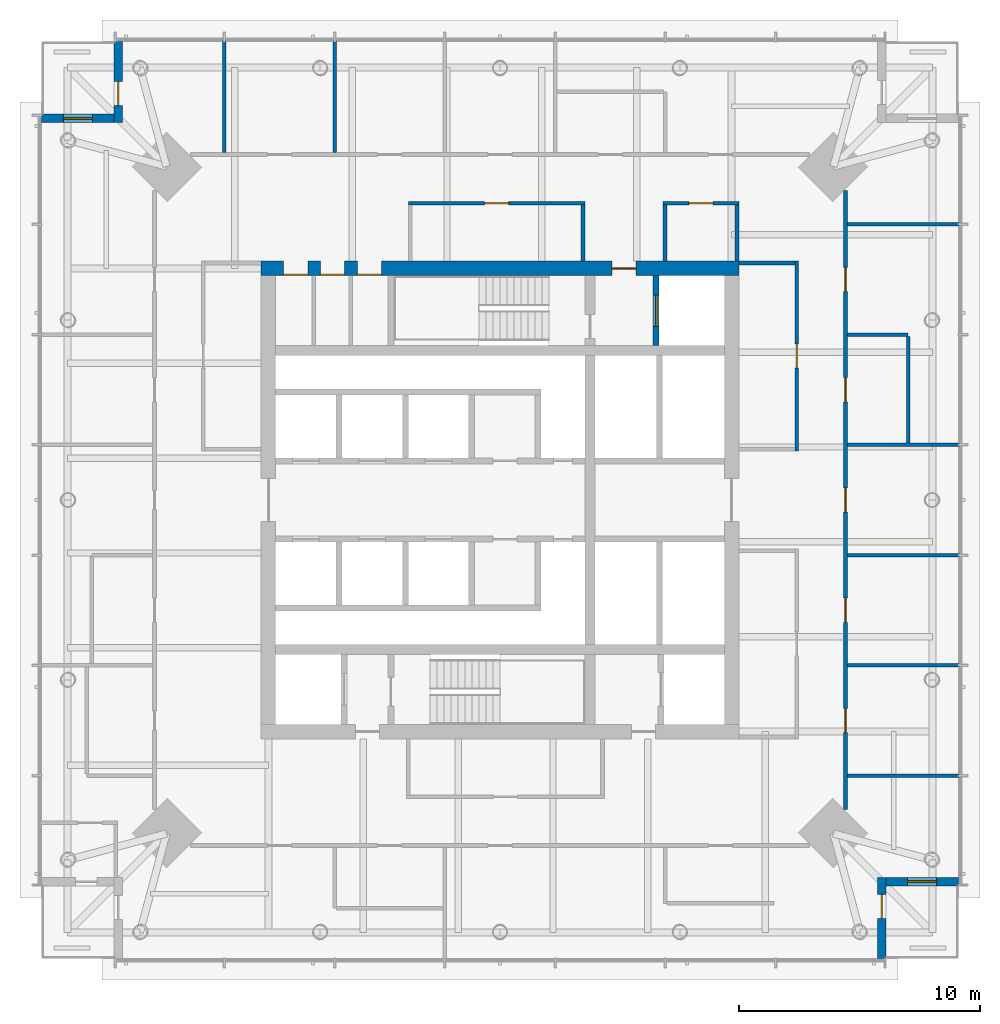
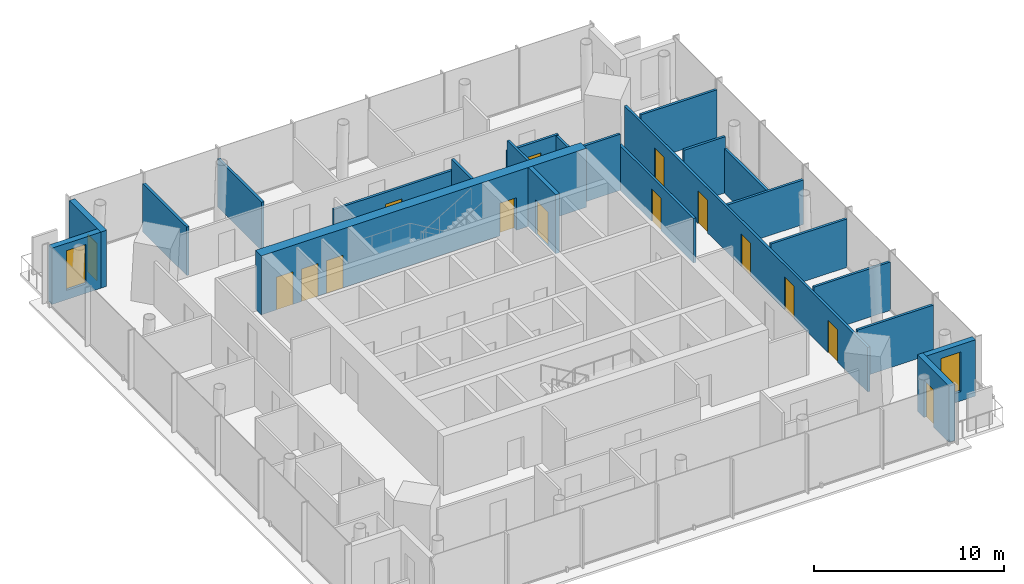
# One storey, part 6 of 11: 23 walls, 15 doors, 2 windows, 17 openings.
"""IFC4 building model written with IfcOpenShell, lengths in metres."""

from ifc_helpers import new_model, si_unit, direction, frame, frame_2d, origin, place, context, subcontext, project, spatial, rectangle, extrude, material, layer, layer_set, type_object, element, fill, save


model = new_model("IFC4")

# Units and contexts
model_context = context("Model", 3, precision=1e-05, world=origin(), true_north=direction((0.0, 1.0)))
body_context = subcontext(model_context, "Body", "Model", "MODEL_VIEW")
ifc_project = project(units=[si_unit("LENGTHUNIT", "METRE"), si_unit("AREAUNIT", "SQUARE_METRE"), si_unit("VOLUMEUNIT", "CUBIC_METRE"), si_unit("PLANEANGLEUNIT", "RADIAN"), si_unit("MASSUNIT", "GRAM", prefix="KILO")], contexts=[model_context])

# Site, building, storey
site_placement = place(None, origin())
site = spatial("IfcSite", under=ifc_project, at=site_placement, CompositionType="ELEMENT")
building_placement = place(site_placement, origin())
building = spatial("IfcBuilding", under=site, at=building_placement, Name="Ostroluk Exchange", CompositionType="ELEMENT")
storey_placement = place(building_placement, frame((0.0, 0.0, 211.0)))
storey = spatial("IfcBuildingStorey", under=building, at=storey_placement, Name="L54", CompositionType="ELEMENT", Elevation=211.0)

# Wall, opening, door
ifc_material_1 = material(Name="Concrete C40/50", Category="concrete")
ifc_layer_1 = layer(ifc_material_1, 0.25)
ifc_layer_set_1 = layer_set([ifc_layer_1], Name="Core shaft wall 250")
wall_type_1 = type_object("IfcWallType", Name="Core shaft wall 250", PredefinedType="SHEAR", material=ifc_layer_set_1)
wall_1_placement = place(storey_placement, frame((51.47509765625, 52.39990234375, 0.0), z_axis=(0.0, 0.0, 1.0), x_axis=(0.0, 1.0, 0.0)))
wall_1 = element("IfcWall", 1, at=wall_1_placement, inside=storey, type_object=wall_type_1, Name="Firefighting lift shaft wall", PredefinedType="SHEAR", context=body_context, shape_type="SweptSolid", body=[
    extrude(rectangle(XDim=2.900146484375, YDim=0.25, at=frame_2d((1.4501953125, 0.0))), origin(), (0.0, 0.0, 1.0), 3.800048828125),
])
opening_1_placement = place(wall_1_placement, frame((0.800048828125, 0.0, 0.0)))
opening_1 = element("IfcOpeningElement", 2, at=opening_1_placement, cuts=wall_1, Name="Opening LD2", PredefinedType="OPENING", context=body_context, shape_type="SweptSolid", body=[
    extrude(rectangle(XDim=1.300048828125, YDim=2.199951171875, at=frame_2d((0.64990234375, 1.10009765625))), frame((0.0, 0.135009765625, 0.0), z_axis=(0.0, -1.0, 0.0), x_axis=(1.0, 0.0, 0.0)), (0.0, 0.0, 1.0), 0.27001953125),
])
ifc_material_2 = material(Name="Stainless steel", Category="steel")
door_type_1 = type_object("IfcDoorType", Name="Lift landing door E 60 1300 x 2200", OperationType="DOUBLE_DOOR_SLIDING", PredefinedType="DOOR", material=ifc_material_2)
door_1_placement = place(opening_1_placement, origin())
door_1 = element("IfcDoor", 3, at=door_1_placement, inside=storey, type_object=door_type_1, Name="Lift FL2 landing door", OperationType="DOUBLE_DOOR_SLIDING", OverallHeight=2.199951171875, OverallWidth=1.300048828125, PredefinedType="DOOR", context=body_context, shape_type="SweptSolid", body=[
    extrude(rectangle(XDim=1.300048828125, YDim=2.199951171875, at=frame_2d((0.64990234375, 1.10009765625))), frame((0.0, 0.02490234375, 0.0), z_axis=(0.0, -1.0, 0.0), x_axis=(1.0, 0.0, 0.0)), (0.0, 0.0, 1.0), 0.050048828125),
])
fill(opening_1, door_1)

# Wall, openings, doors
ifc_material_3 = material(Name="Concrete C50/60", Category="concrete")
ifc_layer_2 = layer(ifc_material_3, 0.60009765625)
ifc_layer_set_2 = layer_set([ifc_layer_2], Name="Core wall 600 C50/60")
wall_type_2 = type_object("IfcWallType", Name="Core wall 600 C50/60", PredefinedType="SHEAR", material=ifc_layer_set_2)
wall_2_placement = place(storey_placement, frame((35.10009765625, 55.60009765625, 0.0), z_axis=(0.0, 0.0, 1.0), x_axis=(1.0, 0.0, 0.0)))
wall_2 = element("IfcWall", 4, at=wall_2_placement, inside=storey, type_object=wall_type_2, Name="T1 core wall N", PredefinedType="SHEAR", context=body_context, shape_type="SweptSolid", body=[
    extrude(rectangle(XDim=19.7998046875, YDim=0.60009765625, at=frame_2d((9.89990234375, 0.0))), origin(), (0.0, 0.0, 1.0), 3.800048828125),
])
opening_2_placement = place(wall_2_placement, frame((14.5400390625, 0.0, 0.0)))
opening_2 = element("IfcOpeningElement", 5, at=opening_2_placement, cuts=wall_2, Name="Opening FD60", PredefinedType="OPENING", context=body_context, shape_type="SweptSolid", body=[
    extrude(rectangle(XDim=1.0, YDim=2.10009765625, at=frame_2d((0.5, 1.050048828125))), frame((0.0, 0.31005859375, 0.0), z_axis=(0.0, -1.0, 0.0), x_axis=(1.0, 0.0, 0.0)), (0.0, 0.0, 1.0), 0.6201171875),
])
opening_3_placement = place(wall_2_placement, frame((0.930908203125, 0.0, 0.0)))
opening_3 = element("IfcOpeningElement", 6, at=opening_3_placement, cuts=wall_2, Name="Opening FD60", PredefinedType="OPENING", context=body_context, shape_type="SweptSolid", body=[
    extrude(rectangle(XDim=1.0, YDim=2.10009765625, at=frame_2d((0.5, 1.050048828125))), frame((0.0, 0.31005859375, 0.0), z_axis=(0.0, -1.0, 0.0), x_axis=(1.0, 0.0, 0.0)), (0.0, 0.0, 1.0), 0.6201171875),
])
opening_4_placement = place(wall_2_placement, frame((2.4482421875, 0.0, 0.0)))
opening_4 = element("IfcOpeningElement", 7, at=opening_4_placement, cuts=wall_2, Name="Opening FD60", PredefinedType="OPENING", context=body_context, shape_type="SweptSolid", body=[
    extrude(rectangle(XDim=1.0, YDim=2.10009765625, at=frame_2d((0.5, 1.050048828125))), frame((0.0, 0.31005859375, 0.0), z_axis=(0.0, -1.0, 0.0), x_axis=(1.0, 0.0, 0.0)), (0.0, 0.0, 1.0), 0.6201171875),
])
opening_5_placement = place(wall_2_placement, frame((3.982666015625, 0.0, 0.0)))
opening_5 = element("IfcOpeningElement", 8, at=opening_5_placement, cuts=wall_2, Name="Opening FD60", PredefinedType="OPENING", context=body_context, shape_type="SweptSolid", body=[
    extrude(rectangle(XDim=1.0, YDim=2.10009765625, at=frame_2d((0.5, 1.050048828125))), frame((0.0, 0.31005859375, 0.0), z_axis=(0.0, -1.0, 0.0), x_axis=(1.0, 0.0, 0.0)), (0.0, 0.0, 1.0), 0.6201171875),
])
ifc_material_4 = material(Name="Steel", Category="steel")
door_type_2 = type_object("IfcDoorType", Name="Fire door EI 60 1000 x 2100", OperationType="SINGLE_SWING_LEFT", PredefinedType="DOOR", material=ifc_material_4)
door_2_placement = place(opening_2_placement, origin())
door_2 = element("IfcDoor", 9, at=door_2_placement, inside=storey, type_object=door_type_2, Name="Firefighting lobby door", OperationType="SINGLE_SWING_RIGHT", OverallHeight=2.10009765625, OverallWidth=1.0, PredefinedType="DOOR", context=body_context, shape_type="SweptSolid", body=[
    extrude(rectangle(XDim=1.0, YDim=2.10009765625, at=frame_2d((0.5, 1.050048828125))), frame((0.0, 0.02490234375, 0.0), z_axis=(0.0, -1.0, 0.0), x_axis=(1.0, 0.0, 0.0)), (0.0, 0.0, 1.0), 0.050048828125),
])
fill(opening_2, door_2)
door_3_placement = place(opening_3_placement, origin())
door_3 = element("IfcDoor", 10, at=door_3_placement, inside=storey, type_object=door_type_2, Name="Comms room door", OperationType="SINGLE_SWING_LEFT", OverallHeight=2.10009765625, OverallWidth=1.0, PredefinedType="DOOR", context=body_context, shape_type="SweptSolid", body=[
    extrude(rectangle(XDim=1.0, YDim=2.10009765625, at=frame_2d((0.5, 1.050048828125))), frame((0.0, -0.23974609375, 0.0), z_axis=(0.0, -1.0, 0.0), x_axis=(1.0, 0.0, 0.0)), (0.0, 0.0, 1.0), 0.050048828125),
])
fill(opening_3, door_3)
door_4_placement = place(opening_4_placement, origin())
door_4 = element("IfcDoor", 11, at=door_4_placement, inside=storey, type_object=door_type_2, Name="Cleaner's store door", OperationType="SINGLE_SWING_LEFT", OverallHeight=2.10009765625, OverallWidth=1.0, PredefinedType="DOOR", context=body_context, shape_type="SweptSolid", body=[
    extrude(rectangle(XDim=1.0, YDim=2.10009765625, at=frame_2d((0.5, 1.050048828125))), frame((0.0, -0.23974609375, 0.0), z_axis=(0.0, -1.0, 0.0), x_axis=(1.0, 0.0, 0.0)), (0.0, 0.0, 1.0), 0.050048828125),
])
fill(opening_4, door_4)
door_5_placement = place(opening_5_placement, origin())
door_5 = element("IfcDoor", 12, at=door_5_placement, inside=storey, type_object=door_type_2, Name="Store door", OperationType="SINGLE_SWING_LEFT", OverallHeight=2.10009765625, OverallWidth=1.0, PredefinedType="DOOR", context=body_context, shape_type="SweptSolid", body=[
    extrude(rectangle(XDim=1.0, YDim=2.10009765625, at=frame_2d((0.5, 1.050048828125))), frame((0.0, -0.23974609375, 0.0), z_axis=(0.0, -1.0, 0.0), x_axis=(1.0, 0.0, 0.0)), (0.0, 0.0, 1.0), 0.050048828125),
])
fill(opening_5, door_5)

# Wall, opening, door
ifc_material_5 = material(Name="Limestone", Category="masonry")
ifc_layer_3 = layer(ifc_material_5, 0.35009765625)
ifc_layer_set_3 = layer_set([ifc_layer_3], Name="Limestone facade wall 350")
wall_type_3 = type_object("IfcWallType", Name="Limestone facade wall 350", PredefinedType="SOLIDWALL", material=ifc_layer_set_3)
wall_3_placement = place(storey_placement, frame((60.824951171875, 27.0, 0.0), z_axis=(0.0, 0.0, 1.0), x_axis=(0.0, 1.0, 0.0)))
wall_3 = element("IfcWall", 13, at=wall_3_placement, inside=storey, type_object=wall_type_3, Name="Office tower SE corner wall L54 a", PredefinedType="SOLIDWALL", context=body_context, shape_type="SweptSolid", body=[
    extrude(rectangle(XDim=3.35009765625, YDim=0.35009765625, at=frame_2d((1.675048828125, 0.0))), origin(), (0.0, 0.0, 1.0), 3.6201171875),
])
opening_6_placement = place(wall_3_placement, frame((1.64990234375, 0.0, 0.0)))
opening_6 = element("IfcOpeningElement", 14, at=opening_6_placement, cuts=wall_3, Name="Opening D-B1", PredefinedType="OPENING", context=body_context, shape_type="SweptSolid", body=[
    extrude(rectangle(XDim=1.0, YDim=2.39990234375, at=frame_2d((0.5, 1.199951171875))), frame((0.0, 0.18505859375, 0.0), z_axis=(0.0, -1.0, 0.0), x_axis=(1.0, 0.0, 0.0)), (0.0, 0.0, 1.0), 0.3701171875),
])
ifc_material_6 = material(Name="Bronze framed glazed door", Category="aluminium")
door_type_3 = type_object("IfcDoorType", Name="Balcony door 1000 x 2400", OperationType="SINGLE_SWING_LEFT", PredefinedType="DOOR", material=ifc_material_6)
door_6_placement = place(opening_6_placement, origin())
door_6 = element("IfcDoor", 15, at=door_6_placement, inside=storey, type_object=door_type_3, Name="Office tower SE balcony door L54", OperationType="SINGLE_SWING_RIGHT", OverallHeight=2.39990234375, OverallWidth=1.0, PredefinedType="DOOR", context=body_context, shape_type="SweptSolid", body=[
    extrude(rectangle(XDim=1.0, YDim=2.39990234375, at=frame_2d((0.5, 1.199951171875))), frame((0.0, 0.02490234375, 0.0), z_axis=(0.0, -1.0, 0.0), x_axis=(1.0, 0.0, 0.0)), (0.0, 0.0, 1.0), 0.050048828125),
])
fill(opening_6, door_6)

# Wall, opening, window
wall_4_placement = place(storey_placement, frame((61.0, 30.175048828125, 0.0), z_axis=(0.0, 0.0, 1.0), x_axis=(1.0, 0.0, 0.0)))
wall_4 = element("IfcWall", 16, at=wall_4_placement, inside=storey, type_object=wall_type_3, Name="Office tower SE corner wall L54 b", PredefinedType="SOLIDWALL", context=body_context, shape_type="SweptSolid", body=[
    extrude(rectangle(XDim=3.0, YDim=0.35009765625, at=frame_2d((1.5, 0.0))), origin(), (0.0, 0.0, 1.0), 3.6201171875),
])
opening_7_placement = place(wall_4_placement, frame((0.89990234375, 0.0, 0.60009765625)))
opening_7 = element("IfcOpeningElement", 17, at=opening_7_placement, cuts=wall_4, Name="Opening WN-L1", PredefinedType="OPENING", context=body_context, shape_type="SweptSolid", body=[
    extrude(rectangle(XDim=1.199951171875, YDim=2.550048828125, at=frame_2d((0.60009765625, 1.27490234375))), frame((0.0, 0.18505859375, 0.0), z_axis=(0.0, -1.0, 0.0), x_axis=(1.0, 0.0, 0.0)), (0.0, 0.0, 1.0), 0.3701171875),
])
ifc_material_7 = material(Name="Laminated clear glass", Category="glass")
window_type = type_object("IfcWindowType", Name="Lancet window 1200 x 2550", PartitioningType="SINGLE_PANEL", PredefinedType="WINDOW", material=ifc_material_7)
window_1_placement = place(opening_7_placement, origin())
window_1 = element("IfcWindow", 18, at=window_1_placement, inside=storey, type_object=window_type, Name="Office tower SE lancet window L54", OverallHeight=2.550048828125, OverallWidth=1.199951171875, PartitioningType="SINGLE_PANEL", PredefinedType="WINDOW", context=body_context, shape_type="SweptSolid", body=[
    extrude(rectangle(XDim=1.199951171875, YDim=2.550048828125, at=frame_2d((0.60009765625, 1.27490234375))), frame((0.0, 0.030029296875, 0.0), z_axis=(0.0, -1.0, 0.0), x_axis=(1.0, 0.0, 0.0)), (0.0, 0.0, 1.0), 0.06005859375),
])
fill(opening_7, window_1)

# Wall, opening, door
wall_5_placement = place(storey_placement, frame((29.175048828125, 65.0, 0.0), z_axis=(0.0, 0.0, 1.0), x_axis=(0.0, -1.0, 0.0)))
wall_5 = element("IfcWall", 19, at=wall_5_placement, inside=storey, type_object=wall_type_3, Name="Office tower NW corner wall L54 a", PredefinedType="SOLIDWALL", context=body_context, shape_type="SweptSolid", body=[
    extrude(rectangle(XDim=3.35009765625, YDim=0.35009765625, at=frame_2d((1.675048828125, 0.0))), origin(), (0.0, 0.0, 1.0), 3.6201171875),
])
opening_8_placement = place(wall_5_placement, frame((1.64990234375, 0.0, 0.0)))
opening_8 = element("IfcOpeningElement", 20, at=opening_8_placement, cuts=wall_5, Name="Opening D-B1", PredefinedType="OPENING", context=body_context, shape_type="SweptSolid", body=[
    extrude(rectangle(XDim=1.0, YDim=2.39990234375, at=frame_2d((0.5, 1.199951171875))), frame((0.0, 0.18505859375, 0.0), z_axis=(0.0, -1.0, 0.0), x_axis=(1.0, 0.0, 0.0)), (0.0, 0.0, 1.0), 0.3701171875),
])
door_7_placement = place(opening_8_placement, origin())
door_7 = element("IfcDoor", 21, at=door_7_placement, inside=storey, type_object=door_type_3, Name="Office tower NW balcony door L54", OperationType="SINGLE_SWING_RIGHT", OverallHeight=2.39990234375, OverallWidth=1.0, PredefinedType="DOOR", context=body_context, shape_type="SweptSolid", body=[
    extrude(rectangle(XDim=1.0, YDim=2.39990234375, at=frame_2d((0.5, 1.199951171875))), frame((0.0, 0.02490234375, 0.0), z_axis=(0.0, -1.0, 0.0), x_axis=(1.0, 0.0, 0.0)), (0.0, 0.0, 1.0), 0.050048828125),
])
fill(opening_8, door_7)

# Wall, opening, window
wall_6_placement = place(storey_placement, frame((29.0, 61.824951171875, 0.0), z_axis=(0.0, 0.0, 1.0), x_axis=(-1.0, 0.0, 0.0)))
wall_6 = element("IfcWall", 22, at=wall_6_placement, inside=storey, type_object=wall_type_3, Name="Office tower NW corner wall L54 b", PredefinedType="SOLIDWALL", context=body_context, shape_type="SweptSolid", body=[
    extrude(rectangle(XDim=3.0, YDim=0.35009765625, at=frame_2d((1.5, 0.0))), origin(), (0.0, 0.0, 1.0), 3.6201171875),
])
opening_9_placement = place(wall_6_placement, frame((0.89990234375, 0.0, 0.60009765625)))
opening_9 = element("IfcOpeningElement", 23, at=opening_9_placement, cuts=wall_6, Name="Opening WN-L1", PredefinedType="OPENING", context=body_context, shape_type="SweptSolid", body=[
    extrude(rectangle(XDim=1.199951171875, YDim=2.550048828125, at=frame_2d((0.60009765625, 1.27490234375))), frame((0.0, 0.18505859375, 0.0), z_axis=(0.0, -1.0, 0.0), x_axis=(1.0, 0.0, 0.0)), (0.0, 0.0, 1.0), 0.3701171875),
])
window_2_placement = place(opening_9_placement, origin())
window_2 = element("IfcWindow", 24, at=window_2_placement, inside=storey, type_object=window_type, Name="Office tower NW lancet window L54", OverallHeight=2.550048828125, OverallWidth=1.199951171875, PartitioningType="SINGLE_PANEL", PredefinedType="WINDOW", context=body_context, shape_type="SweptSolid", body=[
    extrude(rectangle(XDim=1.199951171875, YDim=2.550048828125, at=frame_2d((0.60009765625, 1.27490234375))), frame((0.0, 0.030029296875, 0.0), z_axis=(0.0, -1.0, 0.0), x_axis=(1.0, 0.0, 0.0)), (0.0, 0.0, 1.0), 0.06005859375),
])
fill(opening_9, window_2)

# Wall, opening, door
ifc_material_8 = material(Name="Gypsum plasterboard partition", Category="gypsum")
ifc_layer_4 = layer(ifc_material_8, 0.14990234375)
ifc_layer_set_4 = layer_set([ifc_layer_4], Name="Plasterboard partition 150")
wall_type_4 = type_object("IfcWallType", Name="Plasterboard partition 150", PredefinedType="PARTITIONING", material=ifc_layer_set_4)
wall_7_placement = place(storey_placement, frame((57.300048828125, 48.02490234375, 0.0), z_axis=(0.0, 0.0, 1.0), x_axis=(0.0, 1.0, 0.0)))
wall_7 = element("IfcWall", 25, at=wall_7_placement, inside=storey, type_object=wall_type_4, Name="Partition", PredefinedType="PARTITIONING", context=body_context, shape_type="SweptSolid", body=[
    extrude(rectangle(XDim=7.875, YDim=0.14990234375, at=frame_2d((3.9375, 0.0))), origin(), (0.0, 0.0, 1.0), 2.866943359375),
])
opening_10_placement = place(wall_7_placement, frame((3.4375, 0.0, 0.0)))
opening_10 = element("IfcOpeningElement", 26, at=opening_10_placement, cuts=wall_7, Name="Opening D-03", PredefinedType="OPENING", context=body_context, shape_type="SweptSolid", body=[
    extrude(rectangle(XDim=1.0, YDim=2.10009765625, at=frame_2d((0.5, 1.050048828125))), frame((0.0, 0.0849609375, 0.0), z_axis=(0.0, -1.0, 0.0), x_axis=(1.0, 0.0, 0.0)), (0.0, 0.0, 1.0), 0.169921875),
])
ifc_material_9 = material(Name="Timber", Category="wood")
door_type_4 = type_object("IfcDoorType", Name="Internal door 1000 x 2100", OperationType="SINGLE_SWING_LEFT", PredefinedType="DOOR", material=ifc_material_9)
door_8_placement = place(opening_10_placement, origin())
door_8 = element("IfcDoor", 27, at=door_8_placement, inside=storey, type_object=door_type_4, Name="Project room door", OperationType="SINGLE_SWING_LEFT", OverallHeight=2.10009765625, OverallWidth=1.0, PredefinedType="DOOR", context=body_context, shape_type="SweptSolid", body=[
    extrude(rectangle(XDim=1.0, YDim=2.10009765625, at=frame_2d((0.5, 1.050048828125))), frame((0.0, 0.02490234375, 0.0), z_axis=(0.0, -1.0, 0.0), x_axis=(1.0, 0.0, 0.0)), (0.0, 0.0, 1.0), 0.050048828125),
])
fill(opening_10, door_8)

# Wall
wall_8_placement = place(storey_placement, frame((54.89990234375, 55.824951171875, 0.0), z_axis=(0.0, 0.0, 1.0), x_axis=(1.0, 0.0, 0.0)))
element("IfcWall", 28, at=wall_8_placement, inside=storey, type_object=wall_type_4, Name="Partition", PredefinedType="PARTITIONING", context=body_context, shape_type="SweptSolid", body=[
    extrude(rectangle(XDim=2.3251953125, YDim=0.14990234375, at=frame_2d((1.16259765625, 0.0))), origin(), (0.0, 0.0, 1.0), 3.6201171875),
])

# Wall, opening, door
wall_9_placement = place(storey_placement, frame((54.89990234375, 58.300048828125, 0.0), z_axis=(0.0, 0.0, 1.0), x_axis=(-1.0, 0.0, 0.0)))
wall_9 = element("IfcWall", 29, at=wall_9_placement, inside=storey, type_object=wall_type_4, Name="Partition", PredefinedType="PARTITIONING", context=body_context, shape_type="SweptSolid", body=[
    extrude(rectangle(XDim=3.135009765625, YDim=0.14990234375, at=frame_2d((1.5673828125, 0.0))), origin(), (0.0, 0.0, 1.0), 2.919921875),
])
opening_11_placement = place(wall_9_placement, frame((1.0673828125, 0.0, 0.0)))
opening_11 = element("IfcOpeningElement", 30, at=opening_11_placement, cuts=wall_9, Name="Opening D-03", PredefinedType="OPENING", context=body_context, shape_type="SweptSolid", body=[
    extrude(rectangle(XDim=1.0, YDim=2.10009765625, at=frame_2d((0.5, 1.050048828125))), frame((0.0, 0.0849609375, 0.0), z_axis=(0.0, -1.0, 0.0), x_axis=(1.0, 0.0, 0.0)), (0.0, 0.0, 1.0), 0.169921875),
])
door_9_placement = place(opening_11_placement, origin())
door_9 = element("IfcDoor", 31, at=door_9_placement, inside=storey, type_object=door_type_4, Name="Project room door", OperationType="SINGLE_SWING_RIGHT", OverallHeight=2.10009765625, OverallWidth=1.0, PredefinedType="DOOR", context=body_context, shape_type="SweptSolid", body=[
    extrude(rectangle(XDim=1.0, YDim=2.10009765625, at=frame_2d((0.5, 1.050048828125))), frame((0.0, 0.02490234375, 0.0), z_axis=(0.0, -1.0, 0.0), x_axis=(1.0, 0.0, 0.0)), (0.0, 0.0, 1.0), 0.050048828125),
])
fill(opening_11, door_9)

# Walls
wall_10_placement = place(storey_placement, frame((54.824951171875, 55.89990234375, 0.0), z_axis=(0.0, 0.0, 1.0), x_axis=(0.0, 1.0, 0.0)))
element("IfcWall", 32, at=wall_10_placement, inside=storey, type_object=wall_type_4, Name="Partition", PredefinedType="PARTITIONING", context=body_context, shape_type="SweptSolid", body=[
    extrude(rectangle(XDim=2.3251953125, YDim=0.14990234375, at=frame_2d((1.16259765625, 0.0))), origin(), (0.0, 0.0, 1.0), 2.866943359375),
])
wall_11_placement = place(storey_placement, frame((51.840087890625, 55.89990234375, 0.0), z_axis=(0.0, 0.0, 1.0), x_axis=(0.0, 1.0, 0.0)))
element("IfcWall", 33, at=wall_11_placement, inside=storey, type_object=wall_type_4, Name="Partition", PredefinedType="PARTITIONING", context=body_context, shape_type="SweptSolid", body=[
    extrude(rectangle(XDim=2.3251953125, YDim=0.14990234375, at=frame_2d((1.16259765625, 0.0))), origin(), (0.0, 0.0, 1.0), 3.6201171875),
])

# Wall, opening, door
wall_12_placement = place(storey_placement, frame((48.514892578125, 58.300048828125, 0.0), z_axis=(0.0, 0.0, 1.0), x_axis=(-1.0, 0.0, 0.0)))
wall_12 = element("IfcWall", 34, at=wall_12_placement, inside=storey, type_object=wall_type_4, Name="Partition", PredefinedType="PARTITIONING", context=body_context, shape_type="SweptSolid", body=[
    extrude(rectangle(XDim=7.30712890625, YDim=0.14990234375, at=frame_2d((3.653564453125, 0.0))), origin(), (0.0, 0.0, 1.0), 2.866943359375),
])
opening_12_placement = place(wall_12_placement, frame((3.153564453125, 0.0, 0.0)))
opening_12 = element("IfcOpeningElement", 35, at=opening_12_placement, cuts=wall_12, Name="Opening D-03", PredefinedType="OPENING", context=body_context, shape_type="SweptSolid", body=[
    extrude(rectangle(XDim=1.0, YDim=2.10009765625, at=frame_2d((0.5, 1.050048828125))), frame((0.0, 0.0849609375, 0.0), z_axis=(0.0, -1.0, 0.0), x_axis=(1.0, 0.0, 0.0)), (0.0, 0.0, 1.0), 0.169921875),
])
door_10_placement = place(opening_12_placement, origin())
door_10 = element("IfcDoor", 36, at=door_10_placement, inside=storey, type_object=door_type_4, Name="Project room door", OperationType="SINGLE_SWING_LEFT", OverallHeight=2.10009765625, OverallWidth=1.0, PredefinedType="DOOR", context=body_context, shape_type="SweptSolid", body=[
    extrude(rectangle(XDim=1.0, YDim=2.10009765625, at=frame_2d((0.5, 1.050048828125))), frame((0.0, 0.02490234375, 0.0), z_axis=(0.0, -1.0, 0.0), x_axis=(1.0, 0.0, 0.0)), (0.0, 0.0, 1.0), 0.050048828125),
])
fill(opening_12, door_10)

# Walls
wall_13_placement = place(storey_placement, frame((48.43994140625, 55.89990234375, 0.0), z_axis=(0.0, 0.0, 1.0), x_axis=(0.0, 1.0, 0.0)))
element("IfcWall", 37, at=wall_13_placement, inside=storey, type_object=wall_type_4, Name="Partition", PredefinedType="PARTITIONING", context=body_context, shape_type="SweptSolid", body=[
    extrude(rectangle(XDim=2.3251953125, YDim=0.14990234375, at=frame_2d((1.16259765625, 0.0))), origin(), (0.0, 0.0, 1.0), 3.6201171875),
])
wall_14_placement = place(storey_placement, frame((61.925048828125, 48.360595703125, 0.0), z_axis=(0.0, 0.0, 1.0), x_axis=(0.0, 1.0, 0.0)))
element("IfcWall", 38, at=wall_14_placement, inside=storey, type_object=wall_type_4, Name="Partition", PredefinedType="PARTITIONING", context=body_context, shape_type="SweptSolid", body=[
    extrude(rectangle(XDim=4.421630859375, YDim=0.14990234375, at=frame_2d((2.2109375, 0.0))), origin(), (0.0, 0.0, 1.0), 2.866943359375),
])

# Wall, openings, doors
wall_15_placement = place(storey_placement, frame((59.324951171875, 33.164306640625, 0.0), z_axis=(0.0, 0.0, 1.0), x_axis=(0.0, 1.0, 0.0)))
wall_15 = element("IfcWall", 39, at=wall_15_placement, inside=storey, type_object=wall_type_4, Name="Partition", PredefinedType="PARTITIONING", context=body_context, shape_type="SweptSolid", body=[
    extrude(rectangle(XDim=25.67138671875, YDim=0.14990234375, at=frame_2d((12.835693359375, 0.0))), origin(), (0.0, 0.0, 1.0), 2.866943359375),
])
opening_13_placement = place(wall_15_placement, frame((3.19287109375, 0.0, 0.0)))
opening_13 = element("IfcOpeningElement", 40, at=opening_13_placement, cuts=wall_15, Name="Opening D-03", PredefinedType="OPENING", context=body_context, shape_type="SweptSolid", body=[
    extrude(rectangle(XDim=1.0, YDim=2.10009765625, at=frame_2d((0.5, 1.050048828125))), frame((0.0, 0.0849609375, 0.0), z_axis=(0.0, -1.0, 0.0), x_axis=(1.0, 0.0, 0.0)), (0.0, 0.0, 1.0), 0.169921875),
])
opening_14_placement = place(wall_15_placement, frame((7.764404296875, 0.0, 0.0)))
opening_14 = element("IfcOpeningElement", 41, at=opening_14_placement, cuts=wall_15, Name="Opening D-03", PredefinedType="OPENING", context=body_context, shape_type="SweptSolid", body=[
    extrude(rectangle(XDim=1.0, YDim=2.10009765625, at=frame_2d((0.5, 1.050048828125))), frame((0.0, 0.0849609375, 0.0), z_axis=(0.0, -1.0, 0.0), x_axis=(1.0, 0.0, 0.0)), (0.0, 0.0, 1.0), 0.169921875),
])
opening_15_placement = place(wall_15_placement, frame((12.335693359375, 0.0, 0.0)))
opening_15 = element("IfcOpeningElement", 42, at=opening_15_placement, cuts=wall_15, Name="Opening D-03", PredefinedType="OPENING", context=body_context, shape_type="SweptSolid", body=[
    extrude(rectangle(XDim=1.0, YDim=2.10009765625, at=frame_2d((0.5, 1.050048828125))), frame((0.0, 0.0849609375, 0.0), z_axis=(0.0, -1.0, 0.0), x_axis=(1.0, 0.0, 0.0)), (0.0, 0.0, 1.0), 0.169921875),
])
opening_16_placement = place(wall_15_placement, frame((16.9072265625, 0.0, 0.0)))
opening_16 = element("IfcOpeningElement", 43, at=opening_16_placement, cuts=wall_15, Name="Opening D-03", PredefinedType="OPENING", context=body_context, shape_type="SweptSolid", body=[
    extrude(rectangle(XDim=1.0, YDim=2.10009765625, at=frame_2d((0.5, 1.050048828125))), frame((0.0, 0.0849609375, 0.0), z_axis=(0.0, -1.0, 0.0), x_axis=(1.0, 0.0, 0.0)), (0.0, 0.0, 1.0), 0.169921875),
])
opening_17_placement = place(wall_15_placement, frame((21.478759765625, 0.0, 0.0)))
opening_17 = element("IfcOpeningElement", 44, at=opening_17_placement, cuts=wall_15, Name="Opening D-03", PredefinedType="OPENING", context=body_context, shape_type="SweptSolid", body=[
    extrude(rectangle(XDim=1.0, YDim=2.10009765625, at=frame_2d((0.5, 1.050048828125))), frame((0.0, 0.0849609375, 0.0), z_axis=(0.0, -1.0, 0.0), x_axis=(1.0, 0.0, 0.0)), (0.0, 0.0, 1.0), 0.169921875),
])
door_11_placement = place(opening_13_placement, origin())
door_11 = element("IfcDoor", 45, at=door_11_placement, inside=storey, type_object=door_type_4, Name="Office door", OperationType="SINGLE_SWING_LEFT", OverallHeight=2.10009765625, OverallWidth=1.0, PredefinedType="DOOR", context=body_context, shape_type="SweptSolid", body=[
    extrude(rectangle(XDim=1.0, YDim=2.10009765625, at=frame_2d((0.5, 1.050048828125))), frame((0.0, 0.02490234375, 0.0), z_axis=(0.0, -1.0, 0.0), x_axis=(1.0, 0.0, 0.0)), (0.0, 0.0, 1.0), 0.050048828125),
])
fill(opening_13, door_11)
door_12_placement = place(opening_14_placement, origin())
door_12 = element("IfcDoor", 46, at=door_12_placement, inside=storey, type_object=door_type_4, Name="Meeting room door", OperationType="SINGLE_SWING_LEFT", OverallHeight=2.10009765625, OverallWidth=1.0, PredefinedType="DOOR", context=body_context, shape_type="SweptSolid", body=[
    extrude(rectangle(XDim=1.0, YDim=2.10009765625, at=frame_2d((0.5, 1.050048828125))), frame((0.0, 0.02490234375, 0.0), z_axis=(0.0, -1.0, 0.0), x_axis=(1.0, 0.0, 0.0)), (0.0, 0.0, 1.0), 0.050048828125),
])
fill(opening_14, door_12)
door_13_placement = place(opening_15_placement, origin())
door_13 = element("IfcDoor", 47, at=door_13_placement, inside=storey, type_object=door_type_4, Name="Meeting room door", OperationType="SINGLE_SWING_LEFT", OverallHeight=2.10009765625, OverallWidth=1.0, PredefinedType="DOOR", context=body_context, shape_type="SweptSolid", body=[
    extrude(rectangle(XDim=1.0, YDim=2.10009765625, at=frame_2d((0.5, 1.050048828125))), frame((0.0, 0.02490234375, 0.0), z_axis=(0.0, -1.0, 0.0), x_axis=(1.0, 0.0, 0.0)), (0.0, 0.0, 1.0), 0.050048828125),
])
fill(opening_15, door_13)
door_14_placement = place(opening_16_placement, origin())
door_14 = element("IfcDoor", 48, at=door_14_placement, inside=storey, type_object=door_type_4, Name="Pantry door", OperationType="SINGLE_SWING_RIGHT", OverallHeight=2.10009765625, OverallWidth=1.0, PredefinedType="DOOR", context=body_context, shape_type="SweptSolid", body=[
    extrude(rectangle(XDim=1.0, YDim=2.10009765625, at=frame_2d((0.5, 1.050048828125))), frame((0.0, 0.02490234375, 0.0), z_axis=(0.0, -1.0, 0.0), x_axis=(1.0, 0.0, 0.0)), (0.0, 0.0, 1.0), 0.050048828125),
])
fill(opening_16, door_14)
door_15_placement = place(opening_17_placement, origin())
door_15 = element("IfcDoor", 49, at=door_15_placement, inside=storey, type_object=door_type_4, Name="Office door", OperationType="SINGLE_SWING_RIGHT", OverallHeight=2.10009765625, OverallWidth=1.0, PredefinedType="DOOR", context=body_context, shape_type="SweptSolid", body=[
    extrude(rectangle(XDim=1.0, YDim=2.10009765625, at=frame_2d((0.5, 1.050048828125))), frame((0.0, 0.02490234375, 0.0), z_axis=(0.0, -1.0, 0.0), x_axis=(1.0, 0.0, 0.0)), (0.0, 0.0, 1.0), 0.050048828125),
])
fill(opening_17, door_15)

# Walls
for number, where, z_axis, x_axis, name in (
    (50, (59.39990234375, 34.571533203125, 0.0), (0.0, 0.0, 1.0), (1.0, 0.0, 0.0), "Partition"),
    (51, (59.39990234375, 39.142822265625, 0.0), (0.0, 0.0, 1.0), (1.0, 0.0, 0.0), "Partition"),
    (52, (59.39990234375, 43.71435546875, 0.0), (0.0, 0.0, 1.0), (1.0, 0.0, 0.0), "Partition"),
):
    element("IfcWall", number, at=place(storey_placement, frame(where, z_axis=z_axis, x_axis=x_axis)), inside=storey, type_object=wall_type_4, Name=name, PredefinedType="PARTITIONING", context=body_context, shape_type="SweptSolid", body=[
        extrude(rectangle(XDim=4.64013671875, YDim=0.14990234375, at=frame_2d((2.320068359375, 0.0))), origin(), (0.0, 0.0, 1.0), 3.1201171875),
    ])
wall_16_placement = place(storey_placement, frame((59.39990234375, 48.28564453125, 0.0), z_axis=(0.0, 0.0, 1.0), x_axis=(1.0, 0.0, 0.0)))
element("IfcWall", 53, at=wall_16_placement, inside=storey, type_object=wall_type_4, Name="Partition", PredefinedType="PARTITIONING", context=body_context, shape_type="SweptSolid", body=[
    extrude(rectangle(XDim=4.64013671875, YDim=0.14990234375, at=frame_2d((2.320068359375, 0.0))), origin(), (0.0, 0.0, 1.0), 2.866943359375),
])
wall_17_placement = place(storey_placement, frame((59.39990234375, 52.857177734375, 0.0), z_axis=(0.0, 0.0, 1.0), x_axis=(1.0, 0.0, 0.0)))
element("IfcWall", 54, at=wall_17_placement, inside=storey, type_object=wall_type_4, Name="Partition", PredefinedType="PARTITIONING", context=body_context, shape_type="SweptSolid", body=[
    extrude(rectangle(XDim=2.525146484375, YDim=0.14990234375, at=frame_2d((1.2626953125, 0.0))), origin(), (0.0, 0.0, 1.0), 3.6201171875),
])
for number, where, z_axis, x_axis, name in (
    (55, (59.39990234375, 57.428466796875, 0.0), (0.0, 0.0, 1.0), (1.0, 0.0, 0.0), "Partition"),
    (56, (38.142822265625, 60.39990234375, 0.0), (0.0, 0.0, 1.0), (0.0, 1.0, 0.0), "Partition"),
    (57, (33.571533203125, 60.39990234375, 0.0), (0.0, 0.0, 1.0), (0.0, 1.0, 0.0), "Partition"),
):
    element("IfcWall", number, at=place(storey_placement, frame(where, z_axis=z_axis, x_axis=x_axis)), inside=storey, type_object=wall_type_4, Name=name, PredefinedType="PARTITIONING", context=body_context, shape_type="SweptSolid", body=[
        extrude(rectangle(XDim=4.64013671875, YDim=0.14990234375, at=frame_2d((2.320068359375, 0.0))), origin(), (0.0, 0.0, 1.0), 3.1201171875),
    ])

save(model, "model.ifc")
